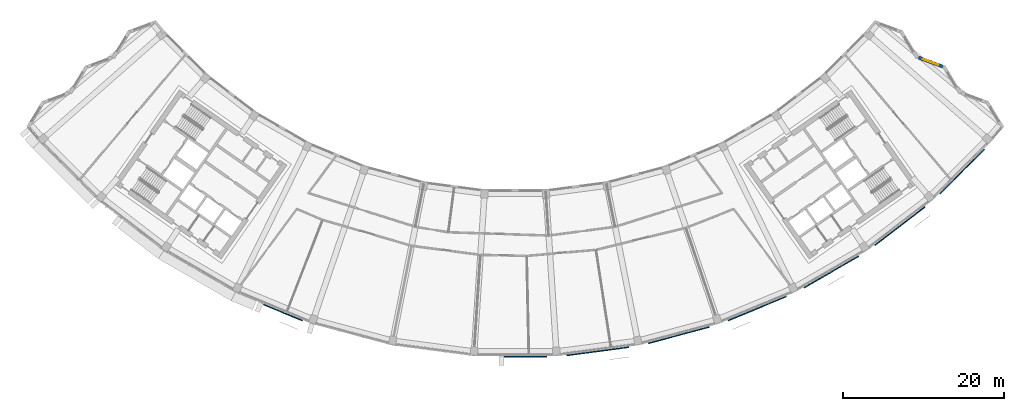
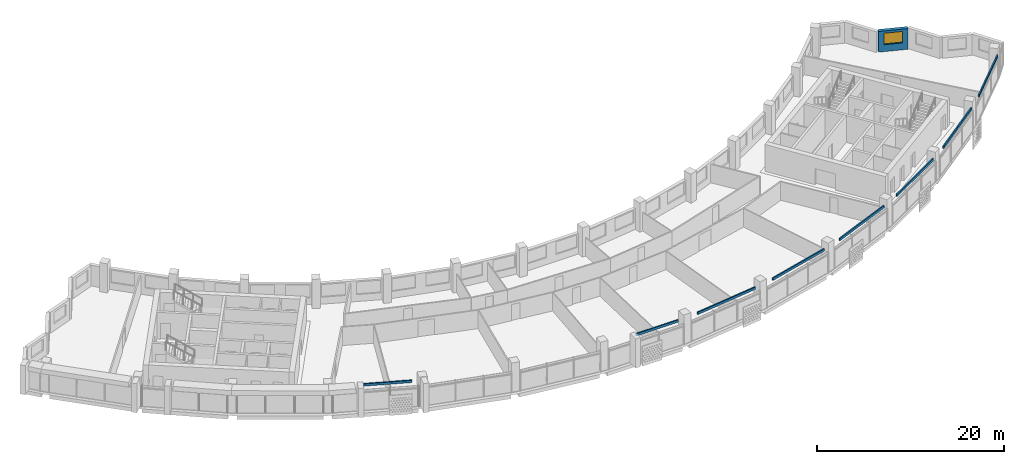
# One storey, part 8 of 28: 8 discrete accessories, 1 wall, 1 window, 1 opening.
"""IFC4 building model written with IfcOpenShell, lengths in metres."""

import ifcopenshell
import ifcopenshell.guid

model = None  # the IFC model being written
_history = None  # IfcOwnerHistory: only IFC2X3 demands one
_inside = {}  # id of a spatial element -> (the spatial element, [elements in it])
_under = {}  # id of a project, library or spatial element -> (it, [spatial elements below it])
_declared = {}  # id of a project -> (the project, [libraries it declares])
_typed = {}  # id of a type object -> (the type object, [elements of that type])
_made_of = {}  # id of a material, layer set ... -> (it, [elements and type objects made of it])


def new_model(schema):
    """Start an empty IFC model of exactly this schema.

    Asked for "IFC4X3", IfcOpenShell would pick the latest addendum, in which some entities
    have other attributes; the version numbers below select the first issue.
    IFC2X3 requires an IfcOwnerHistory on every rooted entity: one is made here for all.
    """
    global model, _history
    if schema == "IFC4X3":
        model = ifcopenshell.file(schema_version=(4, 3, 0, 0))
    else:
        model = ifcopenshell.file(schema=schema)
    _inside.clear()
    _under.clear()
    _declared.clear()
    _typed.clear()
    _made_of.clear()
    _history = None
    if model.schema == "IFC2X3":
        org = make("IfcOrganization", Name="unknown")
        user = make(
            "IfcPersonAndOrganization",
            ThePerson=make("IfcPerson", FamilyName="unknown"),
            TheOrganization=org,
        )
        app = make(
            "IfcApplication",
            ApplicationDeveloper=org,
            Version="unknown",
            ApplicationFullName="unknown",
            ApplicationIdentifier="unknown",
        )
        _history = make(
            "IfcOwnerHistory",
            OwningUser=user,
            OwningApplication=app,
            ChangeAction="ADDED",
            CreationDate=0,
        )
    return model


def make(cls, **values):
    """One entity of the class cls with the attributes given. An attribute that is None is left unset."""
    return model.create_entity(
        cls, **{name: value for name, value in values.items() if value is not None}
    )


def rooted(cls, **values):
    """An entity with a GlobalId (a new one), such as an element, a storey or a relation."""
    return make(cls, GlobalId=ifcopenshell.guid.new(), OwnerHistory=_history, **values)


def si_unit(unit_type, name, prefix=None):
    """IfcSIUnit, for example si_unit("LENGTHUNIT", "METRE", prefix="MILLI")."""
    return make("IfcSIUnit", UnitType=unit_type, Prefix=prefix, Name=name)


def assignment(units):
    """IfcUnitAssignment: the units of a project."""
    return None if units is None else make("IfcUnitAssignment", Units=units)


def point(xyz):
    """IfcCartesianPoint."""
    return None if xyz is None else make("IfcCartesianPoint", Coordinates=xyz)


def direction(xyz):
    """IfcDirection."""
    return None if xyz is None else make("IfcDirection", DirectionRatios=xyz)


def frame(location, z_axis=None, x_axis=None):
    """IfcAxis2Placement3D, a coordinate frame: its origin and axes. An axis left out is left unset."""
    return make(
        "IfcAxis2Placement3D",
        Location=point(location),
        Axis=direction(z_axis),
        RefDirection=direction(x_axis),
    )


def frame_2d(location, x_axis=None):
    """IfcAxis2Placement2D, a coordinate frame in the plane: its origin and x axis."""
    return make(
        "IfcAxis2Placement2D", Location=point(location), RefDirection=direction(x_axis)
    )


def origin():
    """The frame at (0, 0, 0) with its axes left unset."""
    return frame((0.0, 0.0, 0.0))


def origin_2d():
    """The frame at (0, 0) in the plane with its x axis left unset."""
    return frame_2d((0.0, 0.0))


def place(relative_to, where):
    """IfcLocalPlacement: puts the frame where relative to a parent placement (None: the world)."""
    return make(
        "IfcLocalPlacement", PlacementRelTo=relative_to, RelativePlacement=where
    )


def context(
    kind, dimensions, precision=None, world=None, true_north=None, identifier=None
):
    """IfcGeometricRepresentationContext, for example the 3D "Model" context."""
    return make(
        "IfcGeometricRepresentationContext",
        ContextIdentifier=identifier,
        ContextType=kind,
        CoordinateSpaceDimension=dimensions,
        Precision=precision,
        WorldCoordinateSystem=world,
        TrueNorth=true_north,
    )


def subcontext(parent, identifier, kind, view, scale=None):
    """IfcGeometricRepresentationSubContext, for example "Body" below "Model"."""
    return make(
        "IfcGeometricRepresentationSubContext",
        ContextIdentifier=identifier,
        ContextType=kind,
        ParentContext=parent,
        TargetScale=scale,
        TargetView=view,
    )


def project(units=None, contexts=None):
    """IfcProject with its units and contexts."""
    return rooted(
        "IfcProject",
        Name="project",
        RepresentationContexts=contexts,
        UnitsInContext=assignment(units),
    )


def spatial(cls, under=None, at=None, **own):
    """A site, building, storey or space (cls), placed at a placement, below another one or the project."""
    s = rooted(cls, ObjectPlacement=at, **own)
    if under is not None:
        _under.setdefault(under.id(), (under, []))[1].append(s)
    return s


def profile(cls, at=None, kind="AREA", **sizes):
    """A parametric profile (cls). Its sizes go by their IFC names, for example OverallWidth=200.0."""
    return make(cls, ProfileType=kind, Position=at, **sizes)


def rectangle(**sizes):
    """IfcRectangleProfileDef."""
    return profile("IfcRectangleProfileDef", **sizes)


def extrude(swept, where, along, depth):
    """IfcExtrudedAreaSolid: the profile swept, set in the frame where, extruded along a direction by depth."""
    return make(
        "IfcExtrudedAreaSolid",
        SweptArea=swept,
        Position=where,
        ExtrudedDirection=direction(along),
        Depth=depth,
    )


def shape(context_of_items, identifier, shape_type, items):
    """IfcShapeRepresentation: the items that make up one representation, for example the "Body"."""
    return make(
        "IfcShapeRepresentation",
        ContextOfItems=context_of_items,
        RepresentationIdentifier=identifier,
        RepresentationType=shape_type,
        Items=items,
    )


def material(Name=None, Category=None):
    """IfcMaterial."""
    return make("IfcMaterial", Name=Name, Category=Category)


def layer(
    of_material, thickness, ventilated=None, Name=None, Category=None, Priority=None
):
    """IfcMaterialLayer: one layer of a wall or slab, of a material (None: an air gap)."""
    return make(
        "IfcMaterialLayer",
        Material=of_material,
        LayerThickness=thickness,
        IsVentilated=ventilated,
        Name=Name,
        Category=Category,
        Priority=Priority,
    )


def layer_set(layers, Name=None):
    """IfcMaterialLayerSet."""
    return make("IfcMaterialLayerSet", MaterialLayers=layers, LayerSetName=Name)


def made_of(thing, what):
    """Note that an element or type object is made of a material, layer set ...; save() writes the relation."""
    if what is not None:
        _made_of.setdefault(what.id(), (what, []))[1].append(thing)
    return thing


def type_object(cls, material=None, **own):
    """A type object (cls), such as IfcWallType, which elements share."""
    return made_of(rooted(cls, **own), material)


def element(
    cls,
    number,
    at=None,
    inside=None,
    cuts=None,
    type_object=None,
    material=None,
    context=None,
    identifier="Body",
    shape_type=None,
    held_by="IfcProductDefinitionShape",
    body=None,
    shapes=None,
    **own,
):
    """One element of the class cls, such as IfcWall. Its Tag is "e" and its number.

    at: its placement. inside: the storey or other place that contains it. cuts: it is an
    opening in that element (IfcRelVoidsElement). A single representation is given by context,
    identifier, shape_type and body (its items); several are given by shapes. held_by: the class
    of the entity that holds the representations. save() writes the other relations.
    """
    e = rooted(cls, Tag="e%d" % number, ObjectPlacement=at, **own)
    if body is not None:
        shapes = [shape(context, identifier, shape_type, body)]
    if shapes is not None:
        e.Representation = make(held_by, Representations=shapes)
    if inside is not None:
        _inside.setdefault(inside.id(), (inside, []))[1].append(e)
    if cuts is not None:
        rooted(
            "IfcRelVoidsElement", RelatingBuildingElement=cuts, RelatedOpeningElement=e
        )
    if type_object is not None:
        _typed.setdefault(type_object.id(), (type_object, []))[1].append(e)
    return made_of(e, material)


def fill(opening, filler):
    """IfcRelFillsElement: the door or window that sits in an opening."""
    return rooted(
        "IfcRelFillsElement",
        RelatingOpeningElement=opening,
        RelatedBuildingElement=filler,
    )


def aggregate(whole, parts):
    """IfcRelAggregates: a whole, such as a stair, and the parts it consists of."""
    return rooted("IfcRelAggregates", RelatingObject=whole, RelatedObjects=parts)


def save(model, path):
    """Write the relations noted so far, then the file.

    IfcRelAggregates (storeys below a building ...), IfcRelContainedInSpatialStructure (elements
    in a storey), IfcRelDefinesByType, IfcRelAssociatesMaterial and IfcRelDeclares: one each for
    every whole, place, type object, material and project.
    """
    for whole, parts in _under.values():
        aggregate(whole, parts)
    for where, things in _inside.values():
        rooted(
            "IfcRelContainedInSpatialStructure",
            RelatedElements=things,
            RelatingStructure=where,
        )
    for kind, things in _typed.values():
        rooted("IfcRelDefinesByType", RelatedObjects=things, RelatingType=kind)
    for what, things in _made_of.values():
        rooted("IfcRelAssociatesMaterial", RelatedObjects=things, RelatingMaterial=what)
    for by, libraries in _declared.values():
        rooted("IfcRelDeclares", RelatingContext=by, RelatedDefinitions=libraries)
    model.write(path)


model = new_model("IFC4")

# Units and contexts
model_context = context("Model", 3, precision=1e-05, world=origin(), true_north=direction((0.0, 1.0)))
body_context = subcontext(model_context, "Body", "Model", "MODEL_VIEW")
ifc_project = project(units=[si_unit("LENGTHUNIT", "METRE"), si_unit("AREAUNIT", "SQUARE_METRE"), si_unit("VOLUMEUNIT", "CUBIC_METRE"), si_unit("PLANEANGLEUNIT", "RADIAN"), si_unit("MASSUNIT", "GRAM", prefix="KILO")], contexts=[model_context])

# Site, building, storey
site_placement = place(None, origin())
site = spatial("IfcSite", under=ifc_project, at=site_placement, CompositionType="ELEMENT")
building_placement = place(site_placement, origin())
building = spatial("IfcBuilding", under=site, at=building_placement, Name="Qamariyya Broadcast Tower", CompositionType="ELEMENT")
storey_placement = place(building_placement, frame((0.0, 0.0, 277.10009765625)))
storey = spatial("IfcBuildingStorey", under=building, at=storey_placement, Name="L67", CompositionType="ELEMENT", Elevation=277.10009765625)

# Wall, opening, window
ifc_material_1 = material(Name="Terracotta", Category="masonry")
ifc_layer = layer(ifc_material_1, 0.39990234375)
ifc_layer_set = layer_set([ifc_layer], Name="Terracotta clad wall 400")
wall_type = type_object("IfcWallType", Name="Terracotta clad wall 400", PredefinedType="SOLIDWALL", material=ifc_layer_set)
wall_placement = place(storey_placement, frame((52.943603515625, -42.331787109375, 0.0), z_axis=(0.0, 0.0, 1.0), x_axis=(-0.938570920434, 0.345086405578, 0.0)))
wall = element("IfcWall", 1, at=wall_placement, inside=storey, type_object=wall_type, Name="e-wl-L67-capE3", PredefinedType="SOLIDWALL", context=body_context, shape_type="SweptSolid", body=[
    extrude(rectangle(XDim=3.19921875, YDim=0.39990234375, at=frame_2d((1.599609375, 0.0))), origin(), (0.0, 0.0, 1.0), 2.699951171875),
])
opening_placement = place(wall_placement, frame((0.599609375, 0.0, 0.89990234375)))
opening = element("IfcOpeningElement", 2, at=opening_placement, cuts=wall, Name="Opening W4", PredefinedType="OPENING", context=body_context, shape_type="SweptSolid", body=[
    extrude(rectangle(XDim=2.0, YDim=1.5, at=frame_2d((1.0, 0.75))), frame((0.0, 0.2099609375, 0.0), z_axis=(0.0, -1.0, 0.0), x_axis=(1.0, 0.0, 0.0)), (0.0, 0.0, 1.0), 0.419921875),
])
ifc_material_2 = material(Name="Clear low-e double glazed unit in aluminium frame", Category="aluminium")
window_type = type_object("IfcWindowType", Name="Horn bay window 2000 x 1500", PartitioningType="SINGLE_PANEL", PredefinedType="WINDOW", material=ifc_material_2)
window_placement = place(opening_placement, origin())
window = element("IfcWindow", 3, at=window_placement, inside=storey, type_object=window_type, Name="e-w-L67-capE3", OverallHeight=1.5, OverallWidth=2.0, PartitioningType="SINGLE_PANEL", PredefinedType="WINDOW", context=body_context, shape_type="SweptSolid", body=[
    extrude(rectangle(XDim=2.0, YDim=1.5, at=frame_2d((1.0, 0.75))), frame((0.0, 0.030029296875, 0.0), z_axis=(0.0, -1.0, 0.0), x_axis=(1.0, 0.0, 0.0)), (0.0, 0.0, 1.0), 0.06005859375),
])
fill(opening, window)

# Discrete accessories
ifc_material_3 = material(Name="Stainless steel 316", Category="steel")
discrete_accessory_type = type_object("IfcDiscreteAccessoryType", Name="Slab edge fixing angle, stainless steel", PredefinedType="BRACKET", material=ifc_material_3)
for number, where, z_axis, x_axis, name in (
    (4, (-28.76416015625, -72.79052734375, 3.2998046875), (0.0, 0.0, 1.0), (0.923879532511, -0.382683432365, 0.0), "e-br-L67-04-0"),
    (5, (1.281005859375, -78.25732421875, 3.2998046875), (0.0, 0.0, 1.0), (1.0, 0.0, 0.0), "e-br-L67-07-0"),
):
    element("IfcDiscreteAccessory", number, at=place(storey_placement, frame(where, z_axis=z_axis, x_axis=x_axis)), inside=storey, type_object=discrete_accessory_type, Name=name, PredefinedType="BRACKET", context=body_context, shape_type="SweptSolid", body=[
        extrude(rectangle(XDim=5.224365234375, YDim=0.14990234375, at=origin_2d()), origin(), (0.0, 0.0, 1.0), 0.300048828125),
    ])
for number, where, z_axis, x_axis, name in (
    (6, (10.214599609375, -77.587646484375, 3.2998046875), (0.0, 0.0, 1.0), (0.991444861374, 0.13052619222, 0.0), "e-br-L67-08-0"),
    (7, (20.25439453125, -75.590576171875, 3.2998046875), (0.0, 0.0, 1.0), (0.965925826289, 0.258819045103, 0.0), "e-br-L67-09-0"),
    (8, (29.94775390625, -72.30029296875, 3.2998046875), (0.0, 0.0, 1.0), (0.923879532511, 0.382683432365, 0.0), "e-br-L67-10-0"),
    (9, (39.128662109375, -67.772705078125, 3.2998046875), (0.0, 0.0, 1.0), (0.866025403784, 0.5, 0.0), "e-br-L67-11-0"),
    (10, (47.639892578125, -62.085693359375, 3.2998046875), (0.0, 0.0, 1.0), (0.793353340291, 0.608761429009, 0.0), "e-br-L67-12-0"),
    (11, (55.336181640625, -55.336181640625, 3.2998046875), (0.0, 0.0, 1.0), (0.707106781187, 0.707106781187, 0.0), "e-br-L67-13-0"),
):
    element("IfcDiscreteAccessory", number, at=place(storey_placement, frame(where, z_axis=z_axis, x_axis=x_axis)), inside=storey, type_object=discrete_accessory_type, Name=name, PredefinedType="BRACKET", context=body_context, shape_type="SweptSolid", body=[
        extrude(rectangle(XDim=7.78662109375, YDim=0.14990234375, at=origin_2d()), origin(), (0.0, 0.0, 1.0), 0.300048828125),
    ])

save(model, "model.ifc")
